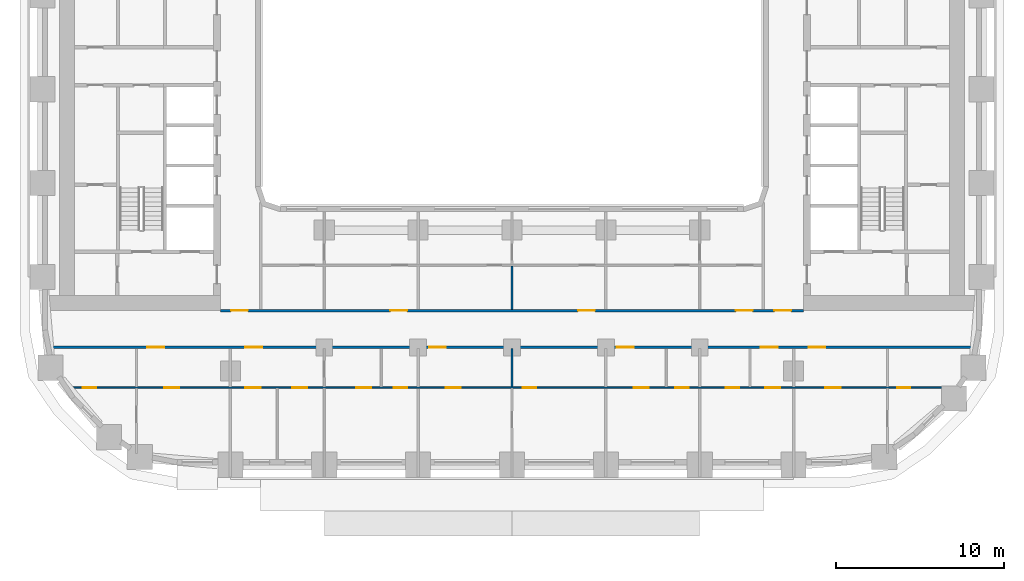
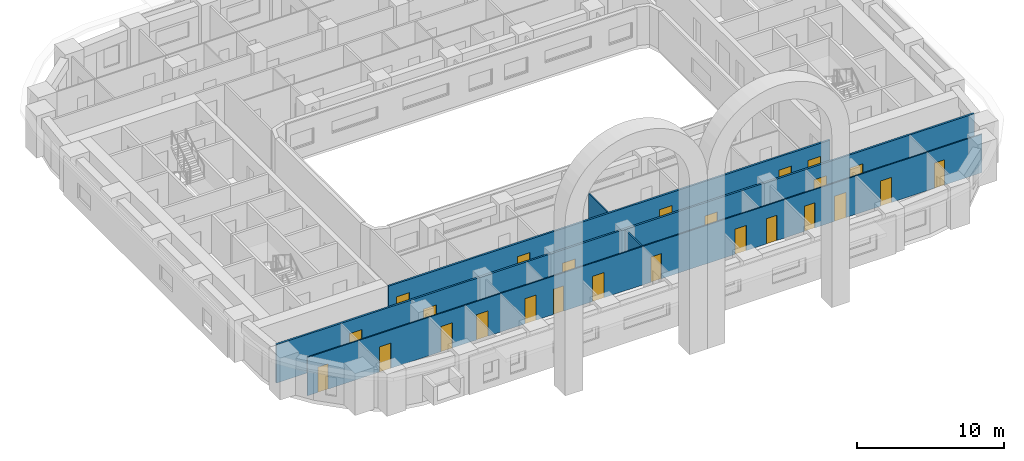
# One storey, part 3 of 21: 25 doors, 5 walls, 25 openings.
"""IFC4 building model written with IfcOpenShell, lengths in metres."""

import ifcopenshell
import ifcopenshell.guid

model = None  # the IFC model being written
_history = None  # IfcOwnerHistory: only IFC2X3 demands one
_inside = {}  # id of a spatial element -> (the spatial element, [elements in it])
_under = {}  # id of a project, library or spatial element -> (it, [spatial elements below it])
_declared = {}  # id of a project -> (the project, [libraries it declares])
_typed = {}  # id of a type object -> (the type object, [elements of that type])
_made_of = {}  # id of a material, layer set ... -> (it, [elements and type objects made of it])


def new_model(schema):
    """Start an empty IFC model of exactly this schema.

    Asked for "IFC4X3", IfcOpenShell would pick the latest addendum, in which some entities
    have other attributes; the version numbers below select the first issue.
    IFC2X3 requires an IfcOwnerHistory on every rooted entity: one is made here for all.
    """
    global model, _history
    if schema == "IFC4X3":
        model = ifcopenshell.file(schema_version=(4, 3, 0, 0))
    else:
        model = ifcopenshell.file(schema=schema)
    _inside.clear()
    _under.clear()
    _declared.clear()
    _typed.clear()
    _made_of.clear()
    _history = None
    if model.schema == "IFC2X3":
        org = make("IfcOrganization", Name="unknown")
        user = make(
            "IfcPersonAndOrganization",
            ThePerson=make("IfcPerson", FamilyName="unknown"),
            TheOrganization=org,
        )
        app = make(
            "IfcApplication",
            ApplicationDeveloper=org,
            Version="unknown",
            ApplicationFullName="unknown",
            ApplicationIdentifier="unknown",
        )
        _history = make(
            "IfcOwnerHistory",
            OwningUser=user,
            OwningApplication=app,
            ChangeAction="ADDED",
            CreationDate=0,
        )
    return model


def make(cls, **values):
    """One entity of the class cls with the attributes given. An attribute that is None is left unset."""
    return model.create_entity(
        cls, **{name: value for name, value in values.items() if value is not None}
    )


def rooted(cls, **values):
    """An entity with a GlobalId (a new one), such as an element, a storey or a relation."""
    return make(cls, GlobalId=ifcopenshell.guid.new(), OwnerHistory=_history, **values)


def si_unit(unit_type, name, prefix=None):
    """IfcSIUnit, for example si_unit("LENGTHUNIT", "METRE", prefix="MILLI")."""
    return make("IfcSIUnit", UnitType=unit_type, Prefix=prefix, Name=name)


def assignment(units):
    """IfcUnitAssignment: the units of a project."""
    return None if units is None else make("IfcUnitAssignment", Units=units)


def point(xyz):
    """IfcCartesianPoint."""
    return None if xyz is None else make("IfcCartesianPoint", Coordinates=xyz)


def direction(xyz):
    """IfcDirection."""
    return None if xyz is None else make("IfcDirection", DirectionRatios=xyz)


def frame(location, z_axis=None, x_axis=None):
    """IfcAxis2Placement3D, a coordinate frame: its origin and axes. An axis left out is left unset."""
    return make(
        "IfcAxis2Placement3D",
        Location=point(location),
        Axis=direction(z_axis),
        RefDirection=direction(x_axis),
    )


def frame_2d(location, x_axis=None):
    """IfcAxis2Placement2D, a coordinate frame in the plane: its origin and x axis."""
    return make(
        "IfcAxis2Placement2D", Location=point(location), RefDirection=direction(x_axis)
    )


def origin():
    """The frame at (0, 0, 0) with its axes left unset."""
    return frame((0.0, 0.0, 0.0))


def place(relative_to, where):
    """IfcLocalPlacement: puts the frame where relative to a parent placement (None: the world)."""
    return make(
        "IfcLocalPlacement", PlacementRelTo=relative_to, RelativePlacement=where
    )


def context(
    kind, dimensions, precision=None, world=None, true_north=None, identifier=None
):
    """IfcGeometricRepresentationContext, for example the 3D "Model" context."""
    return make(
        "IfcGeometricRepresentationContext",
        ContextIdentifier=identifier,
        ContextType=kind,
        CoordinateSpaceDimension=dimensions,
        Precision=precision,
        WorldCoordinateSystem=world,
        TrueNorth=true_north,
    )


def subcontext(parent, identifier, kind, view, scale=None):
    """IfcGeometricRepresentationSubContext, for example "Body" below "Model"."""
    return make(
        "IfcGeometricRepresentationSubContext",
        ContextIdentifier=identifier,
        ContextType=kind,
        ParentContext=parent,
        TargetScale=scale,
        TargetView=view,
    )


def project(units=None, contexts=None):
    """IfcProject with its units and contexts."""
    return rooted(
        "IfcProject",
        Name="project",
        RepresentationContexts=contexts,
        UnitsInContext=assignment(units),
    )


def spatial(cls, under=None, at=None, **own):
    """A site, building, storey or space (cls), placed at a placement, below another one or the project."""
    s = rooted(cls, ObjectPlacement=at, **own)
    if under is not None:
        _under.setdefault(under.id(), (under, []))[1].append(s)
    return s


def profile(cls, at=None, kind="AREA", **sizes):
    """A parametric profile (cls). Its sizes go by their IFC names, for example OverallWidth=200.0."""
    return make(cls, ProfileType=kind, Position=at, **sizes)


def rectangle(**sizes):
    """IfcRectangleProfileDef."""
    return profile("IfcRectangleProfileDef", **sizes)


def extrude(swept, where, along, depth):
    """IfcExtrudedAreaSolid: the profile swept, set in the frame where, extruded along a direction by depth."""
    return make(
        "IfcExtrudedAreaSolid",
        SweptArea=swept,
        Position=where,
        ExtrudedDirection=direction(along),
        Depth=depth,
    )


def shape(context_of_items, identifier, shape_type, items):
    """IfcShapeRepresentation: the items that make up one representation, for example the "Body"."""
    return make(
        "IfcShapeRepresentation",
        ContextOfItems=context_of_items,
        RepresentationIdentifier=identifier,
        RepresentationType=shape_type,
        Items=items,
    )


def material(Name=None, Category=None):
    """IfcMaterial."""
    return make("IfcMaterial", Name=Name, Category=Category)


def layer(
    of_material, thickness, ventilated=None, Name=None, Category=None, Priority=None
):
    """IfcMaterialLayer: one layer of a wall or slab, of a material (None: an air gap)."""
    return make(
        "IfcMaterialLayer",
        Material=of_material,
        LayerThickness=thickness,
        IsVentilated=ventilated,
        Name=Name,
        Category=Category,
        Priority=Priority,
    )


def layer_set(layers, Name=None):
    """IfcMaterialLayerSet."""
    return make("IfcMaterialLayerSet", MaterialLayers=layers, LayerSetName=Name)


def made_of(thing, what):
    """Note that an element or type object is made of a material, layer set ...; save() writes the relation."""
    if what is not None:
        _made_of.setdefault(what.id(), (what, []))[1].append(thing)
    return thing


def type_object(cls, material=None, **own):
    """A type object (cls), such as IfcWallType, which elements share."""
    return made_of(rooted(cls, **own), material)


def element(
    cls,
    number,
    at=None,
    inside=None,
    cuts=None,
    type_object=None,
    material=None,
    context=None,
    identifier="Body",
    shape_type=None,
    held_by="IfcProductDefinitionShape",
    body=None,
    shapes=None,
    **own,
):
    """One element of the class cls, such as IfcWall. Its Tag is "e" and its number.

    at: its placement. inside: the storey or other place that contains it. cuts: it is an
    opening in that element (IfcRelVoidsElement). A single representation is given by context,
    identifier, shape_type and body (its items); several are given by shapes. held_by: the class
    of the entity that holds the representations. save() writes the other relations.
    """
    e = rooted(cls, Tag="e%d" % number, ObjectPlacement=at, **own)
    if body is not None:
        shapes = [shape(context, identifier, shape_type, body)]
    if shapes is not None:
        e.Representation = make(held_by, Representations=shapes)
    if inside is not None:
        _inside.setdefault(inside.id(), (inside, []))[1].append(e)
    if cuts is not None:
        rooted(
            "IfcRelVoidsElement", RelatingBuildingElement=cuts, RelatedOpeningElement=e
        )
    if type_object is not None:
        _typed.setdefault(type_object.id(), (type_object, []))[1].append(e)
    return made_of(e, material)


def fill(opening, filler):
    """IfcRelFillsElement: the door or window that sits in an opening."""
    return rooted(
        "IfcRelFillsElement",
        RelatingOpeningElement=opening,
        RelatedBuildingElement=filler,
    )


def aggregate(whole, parts):
    """IfcRelAggregates: a whole, such as a stair, and the parts it consists of."""
    return rooted("IfcRelAggregates", RelatingObject=whole, RelatedObjects=parts)


def save(model, path):
    """Write the relations noted so far, then the file.

    IfcRelAggregates (storeys below a building ...), IfcRelContainedInSpatialStructure (elements
    in a storey), IfcRelDefinesByType, IfcRelAssociatesMaterial and IfcRelDeclares: one each for
    every whole, place, type object, material and project.
    """
    for whole, parts in _under.values():
        aggregate(whole, parts)
    for where, things in _inside.values():
        rooted(
            "IfcRelContainedInSpatialStructure",
            RelatedElements=things,
            RelatingStructure=where,
        )
    for kind, things in _typed.values():
        rooted("IfcRelDefinesByType", RelatedObjects=things, RelatingType=kind)
    for what, things in _made_of.values():
        rooted("IfcRelAssociatesMaterial", RelatedObjects=things, RelatingMaterial=what)
    for by, libraries in _declared.values():
        rooted("IfcRelDeclares", RelatingContext=by, RelatedDefinitions=libraries)
    model.write(path)


model = new_model("IFC4")

# Units and contexts
model_context = context("Model", 3, precision=1e-05, world=origin(), true_north=direction((0.0, 1.0)))
body_context = subcontext(model_context, "Body", "Model", "MODEL_VIEW")
ifc_project = project(units=[si_unit("LENGTHUNIT", "METRE"), si_unit("AREAUNIT", "SQUARE_METRE"), si_unit("VOLUMEUNIT", "CUBIC_METRE"), si_unit("PLANEANGLEUNIT", "RADIAN"), si_unit("MASSUNIT", "GRAM", prefix="KILO")], contexts=[model_context])

# Site, building, storey
site_placement = place(None, origin())
site = spatial("IfcSite", under=ifc_project, at=site_placement, CompositionType="ELEMENT")
building_placement = place(site_placement, origin())
building = spatial("IfcBuilding", under=site, at=building_placement, Name="Kiln Ring Residences", CompositionType="ELEMENT")
storey_placement = place(building_placement, frame((0.0, 0.0, 51.5)))
storey = spatial("IfcBuildingStorey", under=building, at=storey_placement, Name="L12", CompositionType="ELEMENT", Elevation=51.5)

# Wall, openings, doors
ifc_material_1 = material(Name="Gypsum board on steel studs", Category="steel")
ifc_layer_1 = layer(ifc_material_1, 0.10009765625)
ifc_layer_set_1 = layer_set([ifc_layer_1], Name="PARTITION-100")
wall_type_1 = type_object("IfcWallType", Name="PARTITION-100", PredefinedType="PARTITIONING", material=ifc_layer_set_1)
wall_1_placement = place(storey_placement, frame((-26.39404296875, -17.800048828125, 0.0), z_axis=(0.0, 0.0, 1.0), x_axis=(1.0, 0.0, 0.0)))
wall_1 = element("IfcWall", 1, at=wall_1_placement, inside=storey, type_object=wall_type_1, Name="Partition 000", PredefinedType="PARTITIONING", context=body_context, shape_type="SweptSolid", body=[
    extrude(rectangle(XDim=53.126220703125, YDim=0.10009765625, at=frame_2d((26.56298828125, 0.0))), origin(), (0.0, 0.0, 1.0), 3.199951171875),
])
opening_1_placement = place(wall_1_placement, frame((0.7939453125, 0.0, 0.0)))
opening_1 = element("IfcOpeningElement", 2, at=opening_1_placement, cuts=wall_1, Name="Opening L12-D054", PredefinedType="OPENING", context=body_context, shape_type="SweptSolid", body=[
    extrude(rectangle(XDim=0.800048828125, YDim=2.10009765625, at=frame_2d((0.39990234375, 1.050048828125))), frame((0.0, 0.06005859375, 0.0), z_axis=(0.0, -1.0, 0.0), x_axis=(1.0, 0.0, 0.0)), (0.0, 0.0, 1.0), 0.1201171875),
])
opening_2_placement = place(wall_1_placement, frame((5.64404296875, 0.0, 0.0)))
opening_2 = element("IfcOpeningElement", 3, at=opening_2_placement, cuts=wall_1, Name="Opening L12-D055", PredefinedType="OPENING", context=body_context, shape_type="SweptSolid", body=[
    extrude(rectangle(XDim=0.89990234375, YDim=2.10009765625, at=frame_2d((0.449951171875, 1.050048828125))), frame((0.0, 0.06005859375, 0.0), z_axis=(0.0, -1.0, 0.0), x_axis=(1.0, 0.0, 0.0)), (0.0, 0.0, 1.0), 0.1201171875),
])
opening_3_placement = place(wall_1_placement, frame((19.343994140625, 0.0, 0.0)))
opening_3 = element("IfcOpeningElement", 4, at=opening_3_placement, cuts=wall_1, Name="Opening L12-D059", PredefinedType="OPENING", context=body_context, shape_type="SweptSolid", body=[
    extrude(rectangle(XDim=0.800048828125, YDim=2.10009765625, at=frame_2d((0.39990234375, 1.050048828125))), frame((0.0, 0.06005859375, 0.0), z_axis=(0.0, -1.0, 0.0), x_axis=(1.0, 0.0, 0.0)), (0.0, 0.0, 1.0), 0.1201171875),
])
opening_4_placement = place(wall_1_placement, frame((17.093994140625, 0.0, 0.0)))
opening_4 = element("IfcOpeningElement", 5, at=opening_4_placement, cuts=wall_1, Name="Opening L12-D060", PredefinedType="OPENING", context=body_context, shape_type="SweptSolid", body=[
    extrude(rectangle(XDim=0.89990234375, YDim=2.10009765625, at=frame_2d((0.449951171875, 1.050048828125))), frame((0.0, 0.06005859375, 0.0), z_axis=(0.0, -1.0, 0.0), x_axis=(1.0, 0.0, 0.0)), (0.0, 0.0, 1.0), 0.1201171875),
])
opening_5_placement = place(wall_1_placement, frame((10.493896484375, 0.0, 0.0)))
opening_5 = element("IfcOpeningElement", 6, at=opening_5_placement, cuts=wall_1, Name="Opening L12-D061", PredefinedType="OPENING", context=body_context, shape_type="SweptSolid", body=[
    extrude(rectangle(XDim=0.89990234375, YDim=2.10009765625, at=frame_2d((0.449951171875, 1.050048828125))), frame((0.0, 0.06005859375, 0.0), z_axis=(0.0, -1.0, 0.0), x_axis=(1.0, 0.0, 0.0)), (0.0, 0.0, 1.0), 0.1201171875),
])
opening_6_placement = place(wall_1_placement, frame((13.2939453125, 0.0, 0.0)))
opening_6 = element("IfcOpeningElement", 7, at=opening_6_placement, cuts=wall_1, Name="Opening L12-D062", PredefinedType="OPENING", context=body_context, shape_type="SweptSolid", body=[
    extrude(rectangle(XDim=0.89990234375, YDim=2.10009765625, at=frame_2d((0.449951171875, 1.050048828125))), frame((0.0, 0.06005859375, 0.0), z_axis=(0.0, -1.0, 0.0), x_axis=(1.0, 0.0, 0.0)), (0.0, 0.0, 1.0), 0.1201171875),
])
opening_7_placement = place(wall_1_placement, frame((27.0439453125, 0.0, 0.0)))
opening_7 = element("IfcOpeningElement", 8, at=opening_7_placement, cuts=wall_1, Name="Opening L12-D064", PredefinedType="OPENING", context=body_context, shape_type="SweptSolid", body=[
    extrude(rectangle(XDim=0.800048828125, YDim=2.10009765625, at=frame_2d((0.39990234375, 1.050048828125))), frame((0.0, 0.06005859375, 0.0), z_axis=(0.0, -1.0, 0.0), x_axis=(1.0, 0.0, 0.0)), (0.0, 0.0, 1.0), 0.1201171875),
])
opening_8_placement = place(wall_1_placement, frame((22.444091796875, 0.0, 0.0)))
opening_8 = element("IfcOpeningElement", 9, at=opening_8_placement, cuts=wall_1, Name="Opening L12-D065", PredefinedType="OPENING", context=body_context, shape_type="SweptSolid", body=[
    extrude(rectangle(XDim=0.89990234375, YDim=2.10009765625, at=frame_2d((0.449951171875, 1.050048828125))), frame((0.0, 0.06005859375, 0.0), z_axis=(0.0, -1.0, 0.0), x_axis=(1.0, 0.0, 0.0)), (0.0, 0.0, 1.0), 0.1201171875),
])
opening_9_placement = place(wall_1_placement, frame((36.14404296875, 0.0, 0.0)))
opening_9 = element("IfcOpeningElement", 10, at=opening_9_placement, cuts=wall_1, Name="Opening L12-D068", PredefinedType="OPENING", context=body_context, shape_type="SweptSolid", body=[
    extrude(rectangle(XDim=0.800048828125, YDim=2.10009765625, at=frame_2d((0.39990234375, 1.050048828125))), frame((0.0, 0.06005859375, 0.0), z_axis=(0.0, -1.0, 0.0), x_axis=(1.0, 0.0, 0.0)), (0.0, 0.0, 1.0), 0.1201171875),
])
opening_10_placement = place(wall_1_placement, frame((33.64404296875, 0.0, 0.0)))
opening_10 = element("IfcOpeningElement", 11, at=opening_10_placement, cuts=wall_1, Name="Opening L12-D069", PredefinedType="OPENING", context=body_context, shape_type="SweptSolid", body=[
    extrude(rectangle(XDim=0.89990234375, YDim=2.10009765625, at=frame_2d((0.449951171875, 1.050048828125))), frame((0.0, 0.06005859375, 0.0), z_axis=(0.0, -1.0, 0.0), x_axis=(1.0, 0.0, 0.0)), (0.0, 0.0, 1.0), 0.1201171875),
])
opening_11_placement = place(wall_1_placement, frame((39.14404296875, 0.0, 0.0)))
opening_11 = element("IfcOpeningElement", 12, at=opening_11_placement, cuts=wall_1, Name="Opening L12-D071", PredefinedType="OPENING", context=body_context, shape_type="SweptSolid", body=[
    extrude(rectangle(XDim=0.800048828125, YDim=2.10009765625, at=frame_2d((0.39990234375, 1.050048828125))), frame((0.0, 0.06005859375, 0.0), z_axis=(0.0, -1.0, 0.0), x_axis=(1.0, 0.0, 0.0)), (0.0, 0.0, 1.0), 0.1201171875),
])
opening_12_placement = place(wall_1_placement, frame((41.493896484375, 0.0, 0.0)))
opening_12 = element("IfcOpeningElement", 13, at=opening_12_placement, cuts=wall_1, Name="Opening L12-D072", PredefinedType="OPENING", context=body_context, shape_type="SweptSolid", body=[
    extrude(rectangle(XDim=0.89990234375, YDim=2.10009765625, at=frame_2d((0.449951171875, 1.050048828125))), frame((0.0, 0.06005859375, 0.0), z_axis=(0.0, -1.0, 0.0), x_axis=(1.0, 0.0, 0.0)), (0.0, 0.0, 1.0), 0.1201171875),
])
opening_13_placement = place(wall_1_placement, frame((49.362060546875, 0.0, 0.0)))
opening_13 = element("IfcOpeningElement", 14, at=opening_13_placement, cuts=wall_1, Name="Opening L12-D074", PredefinedType="OPENING", context=body_context, shape_type="SweptSolid", body=[
    extrude(rectangle(XDim=0.800048828125, YDim=2.10009765625, at=frame_2d((0.39990234375, 1.050048828125))), frame((0.0, 0.06005859375, 0.0), z_axis=(0.0, -1.0, 0.0), x_axis=(1.0, 0.0, 0.0)), (0.0, 0.0, 1.0), 0.1201171875),
])
opening_14_placement = place(wall_1_placement, frame((45.093994140625, 0.0, 0.0)))
opening_14 = element("IfcOpeningElement", 15, at=opening_14_placement, cuts=wall_1, Name="Opening L12-D075", PredefinedType="OPENING", context=body_context, shape_type="SweptSolid", body=[
    extrude(rectangle(XDim=0.89990234375, YDim=2.10009765625, at=frame_2d((0.449951171875, 1.050048828125))), frame((0.0, 0.06005859375, 0.0), z_axis=(0.0, -1.0, 0.0), x_axis=(1.0, 0.0, 0.0)), (0.0, 0.0, 1.0), 0.1201171875),
])
ifc_material_2 = material(Name="Timber door leaf", Category="wood")
door_type_1 = type_object("IfcDoorType", Name="FLAT-DOOR-800-PL", OperationType="SINGLE_SWING_LEFT", PredefinedType="DOOR", material=ifc_material_2)
door_1_placement = place(opening_1_placement, origin())
door_1 = element("IfcDoor", 16, at=door_1_placement, inside=storey, type_object=door_type_1, Name="Door L12-D054", OperationType="SINGLE_SWING_RIGHT", OverallHeight=2.10009765625, OverallWidth=0.800048828125, PredefinedType="DOOR", context=body_context, shape_type="SweptSolid", body=[
    extrude(rectangle(XDim=0.800048828125, YDim=2.10009765625, at=frame_2d((0.39990234375, 1.050048828125))), frame((0.0, 0.02490234375, 0.0), z_axis=(0.0, -1.0, 0.0), x_axis=(1.0, 0.0, 0.0)), (0.0, 0.0, 1.0), 0.050048828125),
])
fill(opening_1, door_1)
door_2_placement = place(opening_3_placement, origin())
door_2 = element("IfcDoor", 17, at=door_2_placement, inside=storey, type_object=door_type_1, Name="Door L12-D059", OperationType="SINGLE_SWING_LEFT", OverallHeight=2.10009765625, OverallWidth=0.800048828125, PredefinedType="DOOR", context=body_context, shape_type="SweptSolid", body=[
    extrude(rectangle(XDim=0.800048828125, YDim=2.10009765625, at=frame_2d((0.39990234375, 1.050048828125))), frame((0.0, 0.02490234375, 0.0), z_axis=(0.0, -1.0, 0.0), x_axis=(1.0, 0.0, 0.0)), (0.0, 0.0, 1.0), 0.050048828125),
])
fill(opening_3, door_2)
door_3_placement = place(opening_7_placement, origin())
door_3 = element("IfcDoor", 18, at=door_3_placement, inside=storey, type_object=door_type_1, Name="Door L12-D064", OperationType="SINGLE_SWING_RIGHT", OverallHeight=2.10009765625, OverallWidth=0.800048828125, PredefinedType="DOOR", context=body_context, shape_type="SweptSolid", body=[
    extrude(rectangle(XDim=0.800048828125, YDim=2.10009765625, at=frame_2d((0.39990234375, 1.050048828125))), frame((0.0, 0.02490234375, 0.0), z_axis=(0.0, -1.0, 0.0), x_axis=(1.0, 0.0, 0.0)), (0.0, 0.0, 1.0), 0.050048828125),
])
fill(opening_7, door_3)
door_4_placement = place(opening_9_placement, origin())
door_4 = element("IfcDoor", 19, at=door_4_placement, inside=storey, type_object=door_type_1, Name="Door L12-D068", OperationType="SINGLE_SWING_RIGHT", OverallHeight=2.10009765625, OverallWidth=0.800048828125, PredefinedType="DOOR", context=body_context, shape_type="SweptSolid", body=[
    extrude(rectangle(XDim=0.800048828125, YDim=2.10009765625, at=frame_2d((0.39990234375, 1.050048828125))), frame((0.0, 0.02490234375, 0.0), z_axis=(0.0, -1.0, 0.0), x_axis=(1.0, 0.0, 0.0)), (0.0, 0.0, 1.0), 0.050048828125),
])
fill(opening_9, door_4)
door_5_placement = place(opening_11_placement, origin())
door_5 = element("IfcDoor", 20, at=door_5_placement, inside=storey, type_object=door_type_1, Name="Door L12-D071", OperationType="SINGLE_SWING_LEFT", OverallHeight=2.10009765625, OverallWidth=0.800048828125, PredefinedType="DOOR", context=body_context, shape_type="SweptSolid", body=[
    extrude(rectangle(XDim=0.800048828125, YDim=2.10009765625, at=frame_2d((0.39990234375, 1.050048828125))), frame((0.0, 0.02490234375, 0.0), z_axis=(0.0, -1.0, 0.0), x_axis=(1.0, 0.0, 0.0)), (0.0, 0.0, 1.0), 0.050048828125),
])
fill(opening_11, door_5)
door_6_placement = place(opening_13_placement, origin())
door_6 = element("IfcDoor", 21, at=door_6_placement, inside=storey, type_object=door_type_1, Name="Door L12-D074", OperationType="SINGLE_SWING_RIGHT", OverallHeight=2.10009765625, OverallWidth=0.800048828125, PredefinedType="DOOR", context=body_context, shape_type="SweptSolid", body=[
    extrude(rectangle(XDim=0.800048828125, YDim=2.10009765625, at=frame_2d((0.39990234375, 1.050048828125))), frame((0.0, 0.02490234375, 0.0), z_axis=(0.0, -1.0, 0.0), x_axis=(1.0, 0.0, 0.0)), (0.0, 0.0, 1.0), 0.050048828125),
])
fill(opening_13, door_6)
ifc_material_3 = material(Name="Timber door leaf", Category="wood")
door_type_2 = type_object("IfcDoorType", Name="FLAT-DOOR-900-PL", OperationType="SINGLE_SWING_LEFT", PredefinedType="DOOR", material=ifc_material_3)
door_7_placement = place(opening_2_placement, origin())
door_7 = element("IfcDoor", 22, at=door_7_placement, inside=storey, type_object=door_type_2, Name="Door L12-D055", OperationType="SINGLE_SWING_LEFT", OverallHeight=2.10009765625, OverallWidth=0.89990234375, PredefinedType="DOOR", context=body_context, shape_type="SweptSolid", body=[
    extrude(rectangle(XDim=0.89990234375, YDim=2.10009765625, at=frame_2d((0.449951171875, 1.050048828125))), frame((0.0, 0.02490234375, 0.0), z_axis=(0.0, -1.0, 0.0), x_axis=(1.0, 0.0, 0.0)), (0.0, 0.0, 1.0), 0.050048828125),
])
fill(opening_2, door_7)
door_8_placement = place(opening_4_placement, origin())
door_8 = element("IfcDoor", 23, at=door_8_placement, inside=storey, type_object=door_type_2, Name="Door L12-D060", OperationType="SINGLE_SWING_RIGHT", OverallHeight=2.10009765625, OverallWidth=0.89990234375, PredefinedType="DOOR", context=body_context, shape_type="SweptSolid", body=[
    extrude(rectangle(XDim=0.89990234375, YDim=2.10009765625, at=frame_2d((0.449951171875, 1.050048828125))), frame((0.0, 0.02490234375, 0.0), z_axis=(0.0, -1.0, 0.0), x_axis=(1.0, 0.0, 0.0)), (0.0, 0.0, 1.0), 0.050048828125),
])
fill(opening_4, door_8)
door_9_placement = place(opening_5_placement, origin())
door_9 = element("IfcDoor", 24, at=door_9_placement, inside=storey, type_object=door_type_2, Name="Door L12-D061", OperationType="SINGLE_SWING_LEFT", OverallHeight=2.10009765625, OverallWidth=0.89990234375, PredefinedType="DOOR", context=body_context, shape_type="SweptSolid", body=[
    extrude(rectangle(XDim=0.89990234375, YDim=2.10009765625, at=frame_2d((0.449951171875, 1.050048828125))), frame((0.0, 0.02490234375, 0.0), z_axis=(0.0, -1.0, 0.0), x_axis=(1.0, 0.0, 0.0)), (0.0, 0.0, 1.0), 0.050048828125),
])
fill(opening_5, door_9)
door_10_placement = place(opening_6_placement, origin())
door_10 = element("IfcDoor", 25, at=door_10_placement, inside=storey, type_object=door_type_2, Name="Door L12-D062", OperationType="SINGLE_SWING_RIGHT", OverallHeight=2.10009765625, OverallWidth=0.89990234375, PredefinedType="DOOR", context=body_context, shape_type="SweptSolid", body=[
    extrude(rectangle(XDim=0.89990234375, YDim=2.10009765625, at=frame_2d((0.449951171875, 1.050048828125))), frame((0.0, 0.02490234375, 0.0), z_axis=(0.0, -1.0, 0.0), x_axis=(1.0, 0.0, 0.0)), (0.0, 0.0, 1.0), 0.050048828125),
])
fill(opening_6, door_10)
door_11_placement = place(opening_8_placement, origin())
door_11 = element("IfcDoor", 26, at=door_11_placement, inside=storey, type_object=door_type_2, Name="Door L12-D065", OperationType="SINGLE_SWING_LEFT", OverallHeight=2.10009765625, OverallWidth=0.89990234375, PredefinedType="DOOR", context=body_context, shape_type="SweptSolid", body=[
    extrude(rectangle(XDim=0.89990234375, YDim=2.10009765625, at=frame_2d((0.449951171875, 1.050048828125))), frame((0.0, 0.02490234375, 0.0), z_axis=(0.0, -1.0, 0.0), x_axis=(1.0, 0.0, 0.0)), (0.0, 0.0, 1.0), 0.050048828125),
])
fill(opening_8, door_11)
door_12_placement = place(opening_10_placement, origin())
door_12 = element("IfcDoor", 27, at=door_12_placement, inside=storey, type_object=door_type_2, Name="Door L12-D069", OperationType="SINGLE_SWING_RIGHT", OverallHeight=2.10009765625, OverallWidth=0.89990234375, PredefinedType="DOOR", context=body_context, shape_type="SweptSolid", body=[
    extrude(rectangle(XDim=0.89990234375, YDim=2.10009765625, at=frame_2d((0.449951171875, 1.050048828125))), frame((0.0, 0.02490234375, 0.0), z_axis=(0.0, -1.0, 0.0), x_axis=(1.0, 0.0, 0.0)), (0.0, 0.0, 1.0), 0.050048828125),
])
fill(opening_10, door_12)
door_13_placement = place(opening_12_placement, origin())
door_13 = element("IfcDoor", 28, at=door_13_placement, inside=storey, type_object=door_type_2, Name="Door L12-D072", OperationType="SINGLE_SWING_RIGHT", OverallHeight=2.10009765625, OverallWidth=0.89990234375, PredefinedType="DOOR", context=body_context, shape_type="SweptSolid", body=[
    extrude(rectangle(XDim=0.89990234375, YDim=2.10009765625, at=frame_2d((0.449951171875, 1.050048828125))), frame((0.0, 0.02490234375, 0.0), z_axis=(0.0, -1.0, 0.0), x_axis=(1.0, 0.0, 0.0)), (0.0, 0.0, 1.0), 0.050048828125),
])
fill(opening_12, door_13)
door_14_placement = place(opening_14_placement, origin())
door_14 = element("IfcDoor", 29, at=door_14_placement, inside=storey, type_object=door_type_2, Name="Door L12-D075", OperationType="SINGLE_SWING_LEFT", OverallHeight=2.10009765625, OverallWidth=0.89990234375, PredefinedType="DOOR", context=body_context, shape_type="SweptSolid", body=[
    extrude(rectangle(XDim=0.89990234375, YDim=2.10009765625, at=frame_2d((0.449951171875, 1.050048828125))), frame((0.0, 0.02490234375, 0.0), z_axis=(0.0, -1.0, 0.0), x_axis=(1.0, 0.0, 0.0)), (0.0, 0.0, 1.0), 0.050048828125),
])
fill(opening_14, door_14)

# Walls
wall_2_placement = place(storey_placement, frame((0.0, -17.75, 0.0), z_axis=(0.0, 0.0, 1.0), x_axis=(0.0, 1.0, 0.0)))
element("IfcWall", 30, at=wall_2_placement, inside=storey, type_object=wall_type_1, Name="Partition 039", PredefinedType="PARTITIONING", context=body_context, shape_type="SweptSolid", body=[
    extrude(rectangle(XDim=2.27490234375, YDim=0.10009765625, at=frame_2d((1.137451171875, 0.0))), origin(), (0.0, 0.0, 1.0), 3.199951171875),
])
wall_3_placement = place(storey_placement, frame((0.0, -13.125, 0.0), z_axis=(0.0, 0.0, 1.0), x_axis=(0.0, 1.0, 0.0)))
element("IfcWall", 31, at=wall_3_placement, inside=storey, type_object=wall_type_1, Name="Partition 040", PredefinedType="PARTITIONING", context=body_context, shape_type="SweptSolid", body=[
    extrude(rectangle(XDim=2.574951171875, YDim=0.10009765625, at=frame_2d((1.28759765625, 0.0))), origin(), (0.0, 0.0, 1.0), 3.199951171875),
])

# Wall, openings, doors
ifc_material_4 = material(Name="Brick masonry partition", Category="masonry")
ifc_layer_2 = layer(ifc_material_4, 0.14990234375)
ifc_layer_set_2 = layer_set([ifc_layer_2], Name="PARTITION-150-ei60")
wall_type_2 = type_object("IfcWallType", Name="PARTITION-150-ei60", PredefinedType="PARTITIONING", material=ifc_layer_set_2)
wall_4_placement = place(storey_placement, frame((-27.48388671875, -15.39990234375, 0.0), z_axis=(0.0, 0.0, 1.0), x_axis=(1.0, 0.0, 0.0)))
wall_4 = element("IfcWall", 32, at=wall_4_placement, inside=storey, type_object=wall_type_2, Name="Partition 001", PredefinedType="PARTITIONING", context=body_context, shape_type="SweptSolid", body=[
    extrude(rectangle(XDim=54.9677734375, YDim=0.14990234375, at=frame_2d((27.48388671875, 0.0))), origin(), (0.0, 0.0, 1.0), 3.199951171875),
])
opening_15_placement = place(wall_4_placement, frame((5.73388671875, 0.0, 0.0)))
opening_15 = element("IfcOpeningElement", 33, at=opening_15_placement, cuts=wall_4, Name="Opening L12-D053", PredefinedType="OPENING", context=body_context, shape_type="SweptSolid", body=[
    extrude(rectangle(XDim=1.0, YDim=2.10009765625, at=frame_2d((0.5, 1.050048828125))), frame((0.0, 0.0849609375, 0.0), z_axis=(0.0, -1.0, 0.0), x_axis=(1.0, 0.0, 0.0)), (0.0, 0.0, 1.0), 0.169921875),
])
opening_16_placement = place(wall_4_placement, frame((11.583740234375, 0.0, 0.0)))
opening_16 = element("IfcOpeningElement", 34, at=opening_16_placement, cuts=wall_4, Name="Opening L12-D057", PredefinedType="OPENING", context=body_context, shape_type="SweptSolid", body=[
    extrude(rectangle(XDim=1.0, YDim=2.10009765625, at=frame_2d((0.5, 1.050048828125))), frame((0.0, 0.0849609375, 0.0), z_axis=(0.0, -1.0, 0.0), x_axis=(1.0, 0.0, 0.0)), (0.0, 0.0, 1.0), 0.169921875),
])
opening_17_placement = place(wall_4_placement, frame((22.53369140625, 0.0, 0.0)))
opening_17 = element("IfcOpeningElement", 35, at=opening_17_placement, cuts=wall_4, Name="Opening L12-D063", PredefinedType="OPENING", context=body_context, shape_type="SweptSolid", body=[
    extrude(rectangle(XDim=1.0, YDim=2.10009765625, at=frame_2d((0.5, 1.050048828125))), frame((0.0, 0.0849609375, 0.0), z_axis=(0.0, -1.0, 0.0), x_axis=(1.0, 0.0, 0.0)), (0.0, 0.0, 1.0), 0.169921875),
])
opening_18_placement = place(wall_4_placement, frame((33.73388671875, 0.0, 0.0)))
opening_18 = element("IfcOpeningElement", 36, at=opening_18_placement, cuts=wall_4, Name="Opening L12-D067", PredefinedType="OPENING", context=body_context, shape_type="SweptSolid", body=[
    extrude(rectangle(XDim=1.0, YDim=2.10009765625, at=frame_2d((0.5, 1.050048828125))), frame((0.0, 0.0849609375, 0.0), z_axis=(0.0, -1.0, 0.0), x_axis=(1.0, 0.0, 0.0)), (0.0, 0.0, 1.0), 0.169921875),
])
opening_19_placement = place(wall_4_placement, frame((42.333740234375, 0.0, 0.0)))
opening_19 = element("IfcOpeningElement", 37, at=opening_19_placement, cuts=wall_4, Name="Opening L12-D070", PredefinedType="OPENING", context=body_context, shape_type="SweptSolid", body=[
    extrude(rectangle(XDim=1.0, YDim=2.10009765625, at=frame_2d((0.5, 1.050048828125))), frame((0.0, 0.0849609375, 0.0), z_axis=(0.0, -1.0, 0.0), x_axis=(1.0, 0.0, 0.0)), (0.0, 0.0, 1.0), 0.169921875),
])
opening_20_placement = place(wall_4_placement, frame((45.183837890625, 0.0, 0.0)))
opening_20 = element("IfcOpeningElement", 38, at=opening_20_placement, cuts=wall_4, Name="Opening L12-D073", PredefinedType="OPENING", context=body_context, shape_type="SweptSolid", body=[
    extrude(rectangle(XDim=1.0, YDim=2.10009765625, at=frame_2d((0.5, 1.050048828125))), frame((0.0, 0.0849609375, 0.0), z_axis=(0.0, -1.0, 0.0), x_axis=(1.0, 0.0, 0.0)), (0.0, 0.0, 1.0), 0.169921875),
])
ifc_material_5 = material(Name="Steel faced fire door leaf", Category="steel")
door_type_3 = type_object("IfcDoorType", Name="FLAT-DOOR-1000-FR", OperationType="SINGLE_SWING_LEFT", PredefinedType="DOOR", material=ifc_material_5)
door_15_placement = place(opening_15_placement, origin())
door_15 = element("IfcDoor", 39, at=door_15_placement, inside=storey, type_object=door_type_3, Name="Door L12-D053", OperationType="SINGLE_SWING_LEFT", OverallHeight=2.10009765625, OverallWidth=1.0, PredefinedType="DOOR", context=body_context, shape_type="SweptSolid", body=[
    extrude(rectangle(XDim=1.0, YDim=2.10009765625, at=frame_2d((0.5, 1.050048828125))), frame((0.0, 0.02490234375, 0.0), z_axis=(0.0, -1.0, 0.0), x_axis=(1.0, 0.0, 0.0)), (0.0, 0.0, 1.0), 0.050048828125),
])
fill(opening_15, door_15)
door_16_placement = place(opening_16_placement, origin())
door_16 = element("IfcDoor", 40, at=door_16_placement, inside=storey, type_object=door_type_3, Name="Door L12-D057", OperationType="SINGLE_SWING_LEFT", OverallHeight=2.10009765625, OverallWidth=1.0, PredefinedType="DOOR", context=body_context, shape_type="SweptSolid", body=[
    extrude(rectangle(XDim=1.0, YDim=2.10009765625, at=frame_2d((0.5, 1.050048828125))), frame((0.0, 0.02490234375, 0.0), z_axis=(0.0, -1.0, 0.0), x_axis=(1.0, 0.0, 0.0)), (0.0, 0.0, 1.0), 0.050048828125),
])
fill(opening_16, door_16)
door_17_placement = place(opening_17_placement, origin())
door_17 = element("IfcDoor", 41, at=door_17_placement, inside=storey, type_object=door_type_3, Name="Door L12-D063", OperationType="SINGLE_SWING_LEFT", OverallHeight=2.10009765625, OverallWidth=1.0, PredefinedType="DOOR", context=body_context, shape_type="SweptSolid", body=[
    extrude(rectangle(XDim=1.0, YDim=2.10009765625, at=frame_2d((0.5, 1.050048828125))), frame((0.0, 0.02490234375, 0.0), z_axis=(0.0, -1.0, 0.0), x_axis=(1.0, 0.0, 0.0)), (0.0, 0.0, 1.0), 0.050048828125),
])
fill(opening_17, door_17)
door_18_placement = place(opening_18_placement, origin())
door_18 = element("IfcDoor", 42, at=door_18_placement, inside=storey, type_object=door_type_3, Name="Door L12-D067", OperationType="SINGLE_SWING_LEFT", OverallHeight=2.10009765625, OverallWidth=1.0, PredefinedType="DOOR", context=body_context, shape_type="SweptSolid", body=[
    extrude(rectangle(XDim=1.0, YDim=2.10009765625, at=frame_2d((0.5, 1.050048828125))), frame((0.0, 0.02490234375, 0.0), z_axis=(0.0, -1.0, 0.0), x_axis=(1.0, 0.0, 0.0)), (0.0, 0.0, 1.0), 0.050048828125),
])
fill(opening_18, door_18)
door_19_placement = place(opening_19_placement, origin())
door_19 = element("IfcDoor", 43, at=door_19_placement, inside=storey, type_object=door_type_3, Name="Door L12-D070", OperationType="SINGLE_SWING_LEFT", OverallHeight=2.10009765625, OverallWidth=1.0, PredefinedType="DOOR", context=body_context, shape_type="SweptSolid", body=[
    extrude(rectangle(XDim=1.0, YDim=2.10009765625, at=frame_2d((0.5, 1.050048828125))), frame((0.0, 0.02490234375, 0.0), z_axis=(0.0, -1.0, 0.0), x_axis=(1.0, 0.0, 0.0)), (0.0, 0.0, 1.0), 0.050048828125),
])
fill(opening_19, door_19)
door_20_placement = place(opening_20_placement, origin())
door_20 = element("IfcDoor", 44, at=door_20_placement, inside=storey, type_object=door_type_3, Name="Door L12-D073", OperationType="SINGLE_SWING_LEFT", OverallHeight=2.10009765625, OverallWidth=1.0, PredefinedType="DOOR", context=body_context, shape_type="SweptSolid", body=[
    extrude(rectangle(XDim=1.0, YDim=2.10009765625, at=frame_2d((0.5, 1.050048828125))), frame((0.0, 0.02490234375, 0.0), z_axis=(0.0, -1.0, 0.0), x_axis=(1.0, 0.0, 0.0)), (0.0, 0.0, 1.0), 0.050048828125),
])
fill(opening_20, door_20)

wall_5_placement = place(storey_placement, frame((-17.39990234375, -13.199951171875, 0.0), z_axis=(0.0, 0.0, 1.0), x_axis=(1.0, 0.0, 0.0)))
wall_5 = element("IfcWall", 45, at=wall_5_placement, inside=storey, type_object=wall_type_2, Name="Partition 002", PredefinedType="PARTITIONING", context=body_context, shape_type="SweptSolid", body=[
    extrude(rectangle(XDim=34.7998046875, YDim=0.14990234375, at=frame_2d((17.39990234375, 0.0))), origin(), (0.0, 0.0, 1.0), 3.199951171875),
])
opening_21_placement = place(wall_5_placement, frame((0.64990234375, 0.0, 0.0)))
opening_21 = element("IfcOpeningElement", 46, at=opening_21_placement, cuts=wall_5, Name="Opening L12-D003", PredefinedType="OPENING", context=body_context, shape_type="SweptSolid", body=[
    extrude(rectangle(XDim=1.0, YDim=2.10009765625, at=frame_2d((0.5, 1.050048828125))), frame((0.0, 0.0849609375, 0.0), z_axis=(0.0, -1.0, 0.0), x_axis=(1.0, 0.0, 0.0)), (0.0, 0.0, 1.0), 0.169921875),
])
opening_22_placement = place(wall_5_placement, frame((33.050048828125, 0.0, 0.0)))
opening_22 = element("IfcOpeningElement", 47, at=opening_22_placement, cuts=wall_5, Name="Opening L12-D004", PredefinedType="OPENING", context=body_context, shape_type="SweptSolid", body=[
    extrude(rectangle(XDim=1.0, YDim=2.10009765625, at=frame_2d((0.5, 1.050048828125))), frame((0.0, 0.0849609375, 0.0), z_axis=(0.0, -1.0, 0.0), x_axis=(1.0, 0.0, 0.0)), (0.0, 0.0, 1.0), 0.169921875),
])
opening_23_placement = place(wall_5_placement, frame((10.14990234375, 0.0, 0.0)))
opening_23 = element("IfcOpeningElement", 48, at=opening_23_placement, cuts=wall_5, Name="Opening L12-D041", PredefinedType="OPENING", context=body_context, shape_type="SweptSolid", body=[
    extrude(rectangle(XDim=1.0, YDim=2.10009765625, at=frame_2d((0.5, 1.050048828125))), frame((0.0, 0.0849609375, 0.0), z_axis=(0.0, -1.0, 0.0), x_axis=(1.0, 0.0, 0.0)), (0.0, 0.0, 1.0), 0.169921875),
])
opening_24_placement = place(wall_5_placement, frame((21.35009765625, 0.0, 0.0)))
opening_24 = element("IfcOpeningElement", 49, at=opening_24_placement, cuts=wall_5, Name="Opening L12-D045", PredefinedType="OPENING", context=body_context, shape_type="SweptSolid", body=[
    extrude(rectangle(XDim=1.0, YDim=2.10009765625, at=frame_2d((0.5, 1.050048828125))), frame((0.0, 0.0849609375, 0.0), z_axis=(0.0, -1.0, 0.0), x_axis=(1.0, 0.0, 0.0)), (0.0, 0.0, 1.0), 0.169921875),
])
opening_25_placement = place(wall_5_placement, frame((30.75, 0.0, 0.0)))
opening_25 = element("IfcOpeningElement", 50, at=opening_25_placement, cuts=wall_5, Name="Opening L12-D049", PredefinedType="OPENING", context=body_context, shape_type="SweptSolid", body=[
    extrude(rectangle(XDim=1.0, YDim=2.10009765625, at=frame_2d((0.5, 1.050048828125))), frame((0.0, 0.0849609375, 0.0), z_axis=(0.0, -1.0, 0.0), x_axis=(1.0, 0.0, 0.0)), (0.0, 0.0, 1.0), 0.169921875),
])
door_21_placement = place(opening_21_placement, origin())
door_21 = element("IfcDoor", 51, at=door_21_placement, inside=storey, type_object=door_type_3, Name="Door L12-D003", OperationType="SINGLE_SWING_RIGHT", OverallHeight=2.10009765625, OverallWidth=1.0, PredefinedType="DOOR", context=body_context, shape_type="SweptSolid", body=[
    extrude(rectangle(XDim=1.0, YDim=2.10009765625, at=frame_2d((0.5, 1.050048828125))), frame((0.0, 0.02490234375, 0.0), z_axis=(0.0, -1.0, 0.0), x_axis=(1.0, 0.0, 0.0)), (0.0, 0.0, 1.0), 0.050048828125),
])
fill(opening_21, door_21)
door_22_placement = place(opening_22_placement, origin())
door_22 = element("IfcDoor", 52, at=door_22_placement, inside=storey, type_object=door_type_3, Name="Door L12-D004", OperationType="SINGLE_SWING_LEFT", OverallHeight=2.10009765625, OverallWidth=1.0, PredefinedType="DOOR", context=body_context, shape_type="SweptSolid", body=[
    extrude(rectangle(XDim=1.0, YDim=2.10009765625, at=frame_2d((0.5, 1.050048828125))), frame((0.0, 0.02490234375, 0.0), z_axis=(0.0, -1.0, 0.0), x_axis=(1.0, 0.0, 0.0)), (0.0, 0.0, 1.0), 0.050048828125),
])
fill(opening_22, door_22)
door_23_placement = place(opening_23_placement, origin())
door_23 = element("IfcDoor", 53, at=door_23_placement, inside=storey, type_object=door_type_3, Name="Door L12-D041", OperationType="SINGLE_SWING_LEFT", OverallHeight=2.10009765625, OverallWidth=1.0, PredefinedType="DOOR", context=body_context, shape_type="SweptSolid", body=[
    extrude(rectangle(XDim=1.0, YDim=2.10009765625, at=frame_2d((0.5, 1.050048828125))), frame((0.0, 0.02490234375, 0.0), z_axis=(0.0, -1.0, 0.0), x_axis=(1.0, 0.0, 0.0)), (0.0, 0.0, 1.0), 0.050048828125),
])
fill(opening_23, door_23)
door_24_placement = place(opening_24_placement, origin())
door_24 = element("IfcDoor", 54, at=door_24_placement, inside=storey, type_object=door_type_3, Name="Door L12-D045", OperationType="SINGLE_SWING_LEFT", OverallHeight=2.10009765625, OverallWidth=1.0, PredefinedType="DOOR", context=body_context, shape_type="SweptSolid", body=[
    extrude(rectangle(XDim=1.0, YDim=2.10009765625, at=frame_2d((0.5, 1.050048828125))), frame((0.0, 0.02490234375, 0.0), z_axis=(0.0, -1.0, 0.0), x_axis=(1.0, 0.0, 0.0)), (0.0, 0.0, 1.0), 0.050048828125),
])
fill(opening_24, door_24)
door_25_placement = place(opening_25_placement, origin())
door_25 = element("IfcDoor", 55, at=door_25_placement, inside=storey, type_object=door_type_3, Name="Door L12-D049", OperationType="SINGLE_SWING_LEFT", OverallHeight=2.10009765625, OverallWidth=1.0, PredefinedType="DOOR", context=body_context, shape_type="SweptSolid", body=[
    extrude(rectangle(XDim=1.0, YDim=2.10009765625, at=frame_2d((0.5, 1.050048828125))), frame((0.0, 0.02490234375, 0.0), z_axis=(0.0, -1.0, 0.0), x_axis=(1.0, 0.0, 0.0)), (0.0, 0.0, 1.0), 0.050048828125),
])
fill(opening_25, door_25)

save(model, "model.ifc")
